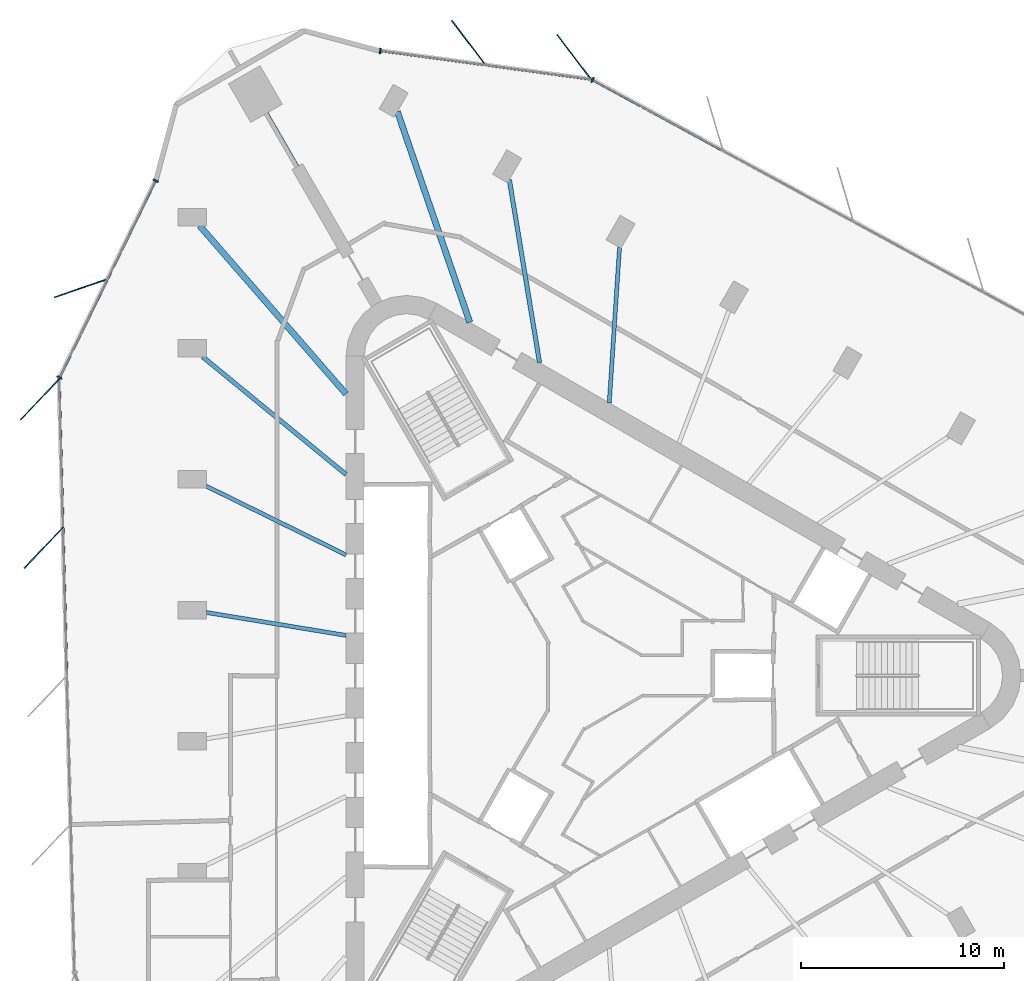
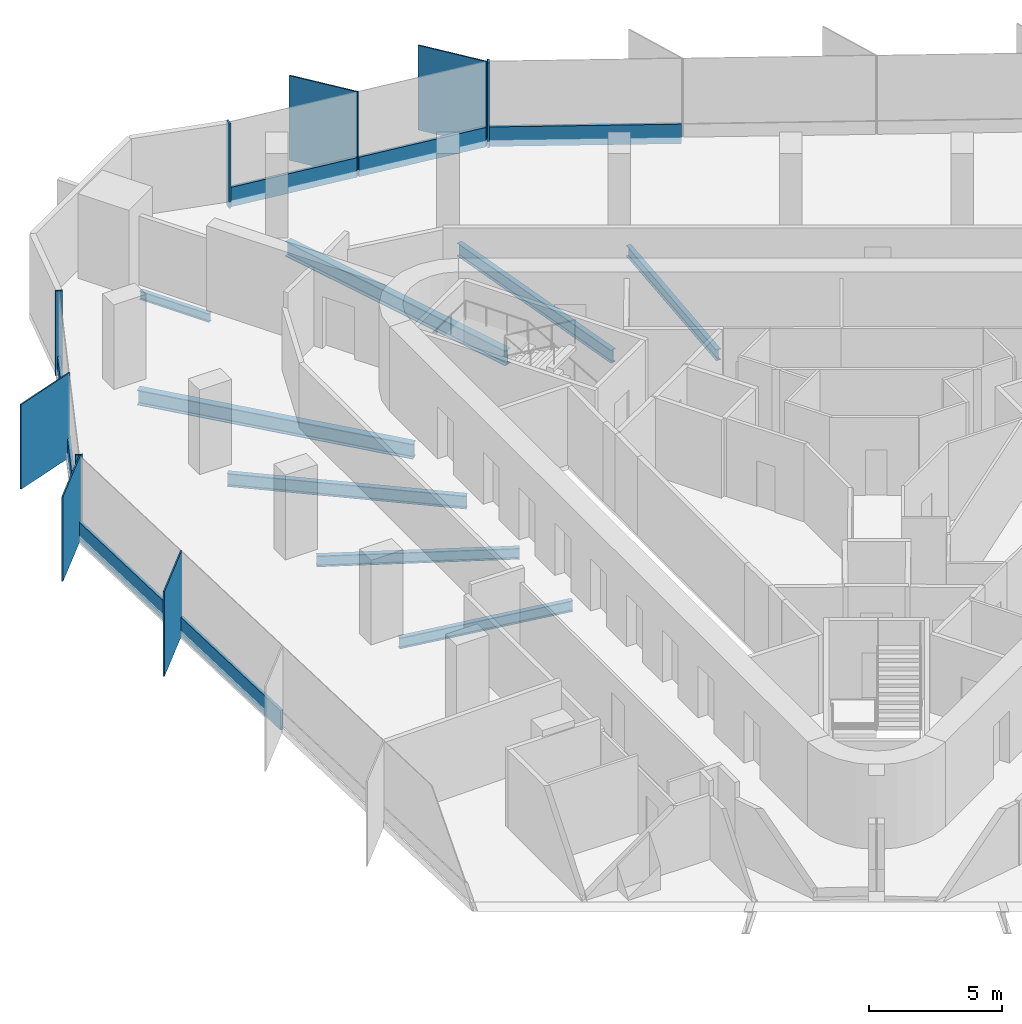
# One storey, part 4 of 12: 16 members, 8 beams, 4 elements without a shape of their own.
"""IFC4 building model written with IfcOpenShell, lengths in metres."""

import ifcopenshell
import ifcopenshell.guid

model = None  # the IFC model being written
_history = None  # IfcOwnerHistory: only IFC2X3 demands one
_inside = {}  # id of a spatial element -> (the spatial element, [elements in it])
_under = {}  # id of a project, library or spatial element -> (it, [spatial elements below it])
_declared = {}  # id of a project -> (the project, [libraries it declares])
_typed = {}  # id of a type object -> (the type object, [elements of that type])
_made_of = {}  # id of a material, layer set ... -> (it, [elements and type objects made of it])


def new_model(schema):
    """Start an empty IFC model of exactly this schema.

    Asked for "IFC4X3", IfcOpenShell would pick the latest addendum, in which some entities
    have other attributes; the version numbers below select the first issue.
    IFC2X3 requires an IfcOwnerHistory on every rooted entity: one is made here for all.
    """
    global model, _history
    if schema == "IFC4X3":
        model = ifcopenshell.file(schema_version=(4, 3, 0, 0))
    else:
        model = ifcopenshell.file(schema=schema)
    _inside.clear()
    _under.clear()
    _declared.clear()
    _typed.clear()
    _made_of.clear()
    _history = None
    if model.schema == "IFC2X3":
        org = make("IfcOrganization", Name="unknown")
        user = make(
            "IfcPersonAndOrganization",
            ThePerson=make("IfcPerson", FamilyName="unknown"),
            TheOrganization=org,
        )
        app = make(
            "IfcApplication",
            ApplicationDeveloper=org,
            Version="unknown",
            ApplicationFullName="unknown",
            ApplicationIdentifier="unknown",
        )
        _history = make(
            "IfcOwnerHistory",
            OwningUser=user,
            OwningApplication=app,
            ChangeAction="ADDED",
            CreationDate=0,
        )
    return model


def make(cls, **values):
    """One entity of the class cls with the attributes given. An attribute that is None is left unset."""
    return model.create_entity(
        cls, **{name: value for name, value in values.items() if value is not None}
    )


def rooted(cls, **values):
    """An entity with a GlobalId (a new one), such as an element, a storey or a relation."""
    return make(cls, GlobalId=ifcopenshell.guid.new(), OwnerHistory=_history, **values)


def si_unit(unit_type, name, prefix=None):
    """IfcSIUnit, for example si_unit("LENGTHUNIT", "METRE", prefix="MILLI")."""
    return make("IfcSIUnit", UnitType=unit_type, Prefix=prefix, Name=name)


def assignment(units):
    """IfcUnitAssignment: the units of a project."""
    return None if units is None else make("IfcUnitAssignment", Units=units)


def point(xyz):
    """IfcCartesianPoint."""
    return None if xyz is None else make("IfcCartesianPoint", Coordinates=xyz)


def direction(xyz):
    """IfcDirection."""
    return None if xyz is None else make("IfcDirection", DirectionRatios=xyz)


def frame(location, z_axis=None, x_axis=None):
    """IfcAxis2Placement3D, a coordinate frame: its origin and axes. An axis left out is left unset."""
    return make(
        "IfcAxis2Placement3D",
        Location=point(location),
        Axis=direction(z_axis),
        RefDirection=direction(x_axis),
    )


def frame_2d(location, x_axis=None):
    """IfcAxis2Placement2D, a coordinate frame in the plane: its origin and x axis."""
    return make(
        "IfcAxis2Placement2D", Location=point(location), RefDirection=direction(x_axis)
    )


def origin():
    """The frame at (0, 0, 0) with its axes left unset."""
    return frame((0.0, 0.0, 0.0))


def origin_2d():
    """The frame at (0, 0) in the plane with its x axis left unset."""
    return frame_2d((0.0, 0.0))


def place(relative_to, where):
    """IfcLocalPlacement: puts the frame where relative to a parent placement (None: the world)."""
    return make(
        "IfcLocalPlacement", PlacementRelTo=relative_to, RelativePlacement=where
    )


def context(
    kind, dimensions, precision=None, world=None, true_north=None, identifier=None
):
    """IfcGeometricRepresentationContext, for example the 3D "Model" context."""
    return make(
        "IfcGeometricRepresentationContext",
        ContextIdentifier=identifier,
        ContextType=kind,
        CoordinateSpaceDimension=dimensions,
        Precision=precision,
        WorldCoordinateSystem=world,
        TrueNorth=true_north,
    )


def subcontext(parent, identifier, kind, view, scale=None):
    """IfcGeometricRepresentationSubContext, for example "Body" below "Model"."""
    return make(
        "IfcGeometricRepresentationSubContext",
        ContextIdentifier=identifier,
        ContextType=kind,
        ParentContext=parent,
        TargetScale=scale,
        TargetView=view,
    )


def project(units=None, contexts=None):
    """IfcProject with its units and contexts."""
    return rooted(
        "IfcProject",
        Name="project",
        RepresentationContexts=contexts,
        UnitsInContext=assignment(units),
    )


def spatial(cls, under=None, at=None, **own):
    """A site, building, storey or space (cls), placed at a placement, below another one or the project."""
    s = rooted(cls, ObjectPlacement=at, **own)
    if under is not None:
        _under.setdefault(under.id(), (under, []))[1].append(s)
    return s


def profile(cls, at=None, kind="AREA", **sizes):
    """A parametric profile (cls). Its sizes go by their IFC names, for example OverallWidth=200.0."""
    return make(cls, ProfileType=kind, Position=at, **sizes)


def rectangle(**sizes):
    """IfcRectangleProfileDef."""
    return profile("IfcRectangleProfileDef", **sizes)


def i_section(**sizes):
    """IfcIShapeProfileDef."""
    return profile("IfcIShapeProfileDef", **sizes)


def extrude(swept, where, along, depth):
    """IfcExtrudedAreaSolid: the profile swept, set in the frame where, extruded along a direction by depth."""
    return make(
        "IfcExtrudedAreaSolid",
        SweptArea=swept,
        Position=where,
        ExtrudedDirection=direction(along),
        Depth=depth,
    )


def shape(context_of_items, identifier, shape_type, items):
    """IfcShapeRepresentation: the items that make up one representation, for example the "Body"."""
    return make(
        "IfcShapeRepresentation",
        ContextOfItems=context_of_items,
        RepresentationIdentifier=identifier,
        RepresentationType=shape_type,
        Items=items,
    )


def material(Name=None, Category=None):
    """IfcMaterial."""
    return make("IfcMaterial", Name=Name, Category=Category)


def material_profile(
    of_material, cross_section, Name=None, Category=None, Priority=None
):
    """IfcMaterialProfile: a cross section and its material."""
    return make(
        "IfcMaterialProfile",
        Name=Name,
        Material=of_material,
        Profile=cross_section,
        Priority=Priority,
        Category=Category,
    )


def profile_set(profiles, Name=None, composite=None):
    """IfcMaterialProfileSet."""
    return make(
        "IfcMaterialProfileSet",
        Name=Name,
        MaterialProfiles=profiles,
        CompositeProfile=composite,
    )


def made_of(thing, what):
    """Note that an element or type object is made of a material, layer set ...; save() writes the relation."""
    if what is not None:
        _made_of.setdefault(what.id(), (what, []))[1].append(thing)
    return thing


def type_object(cls, material=None, **own):
    """A type object (cls), such as IfcWallType, which elements share."""
    return made_of(rooted(cls, **own), material)


def element(
    cls,
    number,
    at=None,
    inside=None,
    cuts=None,
    type_object=None,
    material=None,
    context=None,
    identifier="Body",
    shape_type=None,
    held_by="IfcProductDefinitionShape",
    body=None,
    shapes=None,
    **own,
):
    """One element of the class cls, such as IfcWall. Its Tag is "e" and its number.

    at: its placement. inside: the storey or other place that contains it. cuts: it is an
    opening in that element (IfcRelVoidsElement). A single representation is given by context,
    identifier, shape_type and body (its items); several are given by shapes. held_by: the class
    of the entity that holds the representations. save() writes the other relations.
    """
    e = rooted(cls, Tag="e%d" % number, ObjectPlacement=at, **own)
    if body is not None:
        shapes = [shape(context, identifier, shape_type, body)]
    if shapes is not None:
        e.Representation = make(held_by, Representations=shapes)
    if inside is not None:
        _inside.setdefault(inside.id(), (inside, []))[1].append(e)
    if cuts is not None:
        rooted(
            "IfcRelVoidsElement", RelatingBuildingElement=cuts, RelatedOpeningElement=e
        )
    if type_object is not None:
        _typed.setdefault(type_object.id(), (type_object, []))[1].append(e)
    return made_of(e, material)


def aggregate(whole, parts):
    """IfcRelAggregates: a whole, such as a stair, and the parts it consists of."""
    return rooted("IfcRelAggregates", RelatingObject=whole, RelatedObjects=parts)


def save(model, path):
    """Write the relations noted so far, then the file.

    IfcRelAggregates (storeys below a building ...), IfcRelContainedInSpatialStructure (elements
    in a storey), IfcRelDefinesByType, IfcRelAssociatesMaterial and IfcRelDeclares: one each for
    every whole, place, type object, material and project.
    """
    for whole, parts in _under.values():
        aggregate(whole, parts)
    for where, things in _inside.values():
        rooted(
            "IfcRelContainedInSpatialStructure",
            RelatedElements=things,
            RelatingStructure=where,
        )
    for kind, things in _typed.values():
        rooted("IfcRelDefinesByType", RelatedObjects=things, RelatingType=kind)
    for what, things in _made_of.values():
        rooted("IfcRelAssociatesMaterial", RelatedObjects=things, RelatingMaterial=what)
    for by, libraries in _declared.values():
        rooted("IfcRelDeclares", RelatingContext=by, RelatedDefinitions=libraries)
    model.write(path)


model = new_model("IFC4")

# Units and contexts
model_context = context("Model", 3, precision=1e-05, world=origin(), true_north=direction((0.0, 1.0)))
body_context = subcontext(model_context, "Body", "Model", "MODEL_VIEW")
ifc_project = project(units=[si_unit("LENGTHUNIT", "METRE"), si_unit("AREAUNIT", "SQUARE_METRE"), si_unit("VOLUMEUNIT", "CUBIC_METRE"), si_unit("PLANEANGLEUNIT", "RADIAN"), si_unit("MASSUNIT", "GRAM", prefix="KILO")], contexts=[model_context])

# Site, building, storey
site_placement = place(None, origin())
site = spatial("IfcSite", under=ifc_project, at=site_placement, CompositionType="ELEMENT")
building_placement = place(site_placement, origin())
building = spatial("IfcBuilding", under=site, at=building_placement, Name="Tanit Gate Tower", CompositionType="ELEMENT")
storey_placement = place(building_placement, frame((0.0, 0.0, 349.39990234375)))
storey = spatial("IfcBuildingStorey", under=building, at=storey_placement, Name="L79", CompositionType="ELEMENT", Elevation=349.39990234375)

# Curtain wall, members
ifc_material_1 = material(Name="Aluminium bronze anodised and glass", Category="aluminium")
curtain_wall_type = type_object("IfcCurtainWallType", Name="Curtain wall typical high", PredefinedType="NOTDEFINED", material=ifc_material_1)
curtain_wall_1_placement = place(storey_placement, origin())
curtain_wall_1 = element("IfcCurtainWall", 1, at=curtain_wall_1_placement, inside=storey, type_object=curtain_wall_type, Name="Curtain wall L79 NE3", PredefinedType="NOTDEFINED")
ifc_material_2 = material(Name="Aluminium bronze anodised", Category="aluminium")
ifc_material_profile_1 = material_profile(ifc_material_2, rectangle(XDim=2.800048828125, YDim=0.055908203125, at=origin_2d()), Name="56x2800 bronze fin mullion")
ifc_profile_set_1 = profile_set([ifc_material_profile_1], Name="Aluminium bronze anodised")
member_type_1 = type_object("IfcMemberType", Name="FIN MULLION 56x2800 bronze", PredefinedType="MULLION", material=ifc_profile_set_1)
member_1_placement = place(storey_placement, frame((-0.84130859375, 30.51806640625, -0.2998046875), z_axis=(0.0, 0.0, 1.0), x_axis=(0.605901481659, -0.795539687585, 0.0)))
member_1 = element("IfcMember", 2, at=member_1_placement, type_object=member_type_1, Name="Fin mullion L79 NE3.1", PredefinedType="MULLION", context=body_context, shape_type="SweptSolid", body=[
    extrude(rectangle(XDim=2.800048828125, YDim=0.055908203125, at=origin_2d()), origin(), (0.0, 0.0, 1.0), 3.89990234375),
])
member_2_placement = place(storey_placement, frame((-6.04345703125, 31.221923828125, -0.2998046875), z_axis=(0.0, 0.0, 1.0), x_axis=(0.605901481659, -0.795539687585, 0.0)))
member_2 = element("IfcMember", 3, at=member_2_placement, type_object=member_type_1, Name="Fin mullion L79 NE3.2", PredefinedType="MULLION", context=body_context, shape_type="SweptSolid", body=[
    extrude(rectangle(XDim=2.800048828125, YDim=0.055908203125, at=origin_2d()), origin(), (0.0, 0.0, 1.0), 3.89990234375),
])

# Curtain wall, member
curtain_wall_2_placement = place(storey_placement, origin())
curtain_wall_2 = element("IfcCurtainWall", 4, at=curtain_wall_2_placement, inside=storey, type_object=curtain_wall_type, Name="Curtain wall L79 W1", PredefinedType="NOTDEFINED")
member_3_placement = place(storey_placement, frame((-25.170654296875, 19.119873046875, -0.2998046875), z_axis=(0.0, 0.0, 1.0), x_axis=(0.945536395011, 0.325516398526, 0.0)))
member_3 = element("IfcMember", 5, at=member_3_placement, type_object=member_type_1, Name="Fin mullion L79 W1.2", PredefinedType="MULLION", context=body_context, shape_type="SweptSolid", body=[
    extrude(rectangle(XDim=2.800048828125, YDim=0.055908203125, at=origin_2d()), origin(), (0.0, 0.0, 1.0), 3.89990234375),
])

# Curtain wall, members
curtain_wall_3_placement = place(storey_placement, origin())
curtain_wall_3 = element("IfcCurtainWall", 6, at=curtain_wall_3_placement, inside=storey, type_object=curtain_wall_type, Name="Curtain wall L79 W2", PredefinedType="NOTDEFINED")
member_4_placement = place(storey_placement, frame((-27.20166015625, 13.635498046875, -0.2998046875), z_axis=(0.0, 0.0, 1.0), x_axis=(0.688538110764, 0.725200158595, 0.0)))
member_4 = element("IfcMember", 7, at=member_4_placement, type_object=member_type_1, Name="Fin mullion L79 W2.1", PredefinedType="MULLION", context=body_context, shape_type="SweptSolid", body=[
    extrude(rectangle(XDim=2.800048828125, YDim=0.055908203125, at=origin_2d()), origin(), (0.0, 0.0, 1.0), 3.89990234375),
])
member_5_placement = place(storey_placement, frame((-27.01171875, 6.31689453125, -0.2998046875), z_axis=(0.0, 0.0, 1.0), x_axis=(0.688538110764, 0.725200158595, 0.0)))
member_5 = element("IfcMember", 8, at=member_5_placement, type_object=member_type_1, Name="Fin mullion L79 W2.2", PredefinedType="MULLION", context=body_context, shape_type="SweptSolid", body=[
    extrude(rectangle(XDim=2.800048828125, YDim=0.055908203125, at=origin_2d()), origin(), (0.0, 0.0, 1.0), 3.89990234375),
])

# Curtain wall, member
curtain_wall_4_placement = place(storey_placement, origin())
curtain_wall_4 = element("IfcCurtainWall", 9, at=curtain_wall_4_placement, inside=storey, type_object=curtain_wall_type, Name="Curtain wall L79 NE2", PredefinedType="NOTDEFINED")
ifc_material_3 = material(Name="Aluminium bronze anodised", Category="aluminium")
ifc_material_profile_2 = material_profile(ifc_material_3, rectangle(XDim=0.280029296875, YDim=0.080078125, at=origin_2d()), Name="80x280 bronze mullion")
ifc_profile_set_2 = profile_set([ifc_material_profile_2], Name="Aluminium bronze anodised")
member_type_2 = type_object("IfcMemberType", Name="Mullion 80x280 typical high", PredefinedType="MULLION", material=ifc_profile_set_2)
member_6_placement = place(storey_placement, frame((0.069580078125, 29.3955078125, -0.2998046875), z_axis=(0.0, 0.0, 1.0), x_axis=(-0.477381131015, -0.87869633876, 0.0)))
member_6 = element("IfcMember", 10, at=member_6_placement, type_object=member_type_2, Name="Mullion L79 NE2.5", PredefinedType="MULLION", context=body_context, shape_type="SweptSolid", body=[
    extrude(rectangle(XDim=0.280029296875, YDim=0.080078125, at=origin_2d()), origin(), (0.0, 0.0, 1.0), 3.89990234375),
])

# Member
member_7_placement = place(storey_placement, frame((-10.409423828125, 30.827880859375, -0.2998046875), z_axis=(0.0, 0.0, 1.0), x_axis=(-0.134094461382, -0.990968554207, 0.0)))
member_7 = element("IfcMember", 11, at=member_7_placement, type_object=member_type_2, Name="Mullion L79 NE3.3", PredefinedType="MULLION", context=body_context, shape_type="SweptSolid", body=[
    extrude(rectangle(XDim=0.280029296875, YDim=0.080078125, at=origin_2d()), origin(), (0.0, 0.0, 1.0), 3.89990234375),
])

member_8_placement = place(storey_placement, frame((-21.496337890625, 24.426025390625, -0.2998046875), z_axis=(0.0, 0.0, 1.0), x_axis=(0.898770049556, -0.438420343985, 0.0)))
member_8 = element("IfcMember", 12, at=member_8_placement, type_object=member_type_2, Name="Mullion L79 W1.1", PredefinedType="MULLION", context=body_context, shape_type="SweptSolid", body=[
    extrude(rectangle(XDim=0.280029296875, YDim=0.080078125, at=origin_2d()), origin(), (0.0, 0.0, 1.0), 3.89990234375),
])

member_9_placement = place(storey_placement, frame((-26.23486328125, 14.71240234375, -0.2998046875), z_axis=(0.0, 0.0, 1.0), x_axis=(0.898770049556, -0.438420343985, 0.0)))
member_9 = element("IfcMember", 13, at=member_9_placement, type_object=member_type_2, Name="Mullion L79 W1.3", PredefinedType="MULLION", context=body_context, shape_type="SweptSolid", body=[
    extrude(rectangle(XDim=0.280029296875, YDim=0.080078125, at=origin_2d()), origin(), (0.0, 0.0, 1.0), 3.89990234375),
])

# Beams
ifc_material_4 = material(Name="Steel S355", Category="steel")
ifc_material_profile_3 = material_profile(ifc_material_4, i_section(OverallWidth=0.300048828125, OverallDepth=0.68994140625, WebThickness=0.014404296875, FlangeThickness=0.027099609375, FilletRadius=0.027099609375, at=origin_2d()), Name="HEA 700")
ifc_profile_set_3 = profile_set([ifc_material_profile_3], Name="Steel S355")
beam_type_1 = type_object("IfcBeamType", Name="RADIAL GIRDER HEA 700 S355", PredefinedType="BEAM", material=ifc_profile_set_3)
for number, where, z_axis, x_axis, name in (
    (14, (-9.563720703125, 27.83251953125, -0.64501953125), (0.324979251092, -0.945721146195, 0.0), (0.945721146195, 0.324979251092, 0.0), "RADIAL GIRDER"),
    (15, (-19.322021484375, 22.198486328125, -0.64501953125), (0.656551846621, -0.754280897742, 0.0), (0.754280897742, 0.656551846621, 0.0), "RADIAL GIRDER"),
):
    element("IfcBeam", number, at=place(storey_placement, frame(where, z_axis=z_axis, x_axis=x_axis)), inside=storey, type_object=beam_type_1, Name=name, PredefinedType="BEAM", context=body_context, shape_type="SweptSolid", body=[
        extrude(i_section(OverallWidth=0.300048828125, OverallDepth=0.68994140625, WebThickness=0.014404296875, FlangeThickness=0.027099609375, FilletRadius=0.027099609375, at=origin_2d()), origin(), (0.0, 0.0, 1.0), 10.996826171875),
    ])
ifc_material_5 = material(Name="Steel S355", Category="steel")
ifc_material_profile_4 = material_profile(ifc_material_5, i_section(OverallWidth=0.179931640625, OverallDepth=0.39990234375, WebThickness=0.008544921875, FlangeThickness=0.013427734375, FilletRadius=0.02099609375, at=origin_2d()), Name="IPE 400")
ifc_profile_set_4 = profile_set([ifc_material_profile_4], Name="Steel S355")
beam_type_2 = type_object("IfcBeamType", Name="RADIAL GIRDER IPE 400 S355", PredefinedType="BEAM", material=ifc_profile_set_4)
beam_1_placement = place(storey_placement, frame((-16.019775390625, 27.746826171875, -0.5), z_axis=(0.500014901547, -0.866016800201, 0.0), x_axis=(0.866016800201, 0.500014901547, 0.0)))
element("IfcBeam", 16, at=beam_1_placement, inside=storey, type_object=beam_type_2, Name="RADIAL GIRDER", PredefinedType="BEAM", context=body_context, shape_type="SweptSolid", body=[
    extrude(i_section(OverallWidth=0.179931640625, OverallDepth=0.39990234375, WebThickness=0.008544921875, FlangeThickness=0.013427734375, FilletRadius=0.02099609375, at=origin_2d()), origin(), (0.0, 0.0, 1.0), 3.03515625),
])
ifc_material_6 = material(Name="Steel S355", Category="steel")
ifc_material_profile_5 = material_profile(ifc_material_6, i_section(OverallWidth=0.199951171875, OverallDepth=0.5, WebThickness=0.01025390625, FlangeThickness=0.01611328125, FilletRadius=0.02099609375, at=origin_2d()), Name="IPE 500")
ifc_profile_set_5 = profile_set([ifc_material_profile_5], Name="Steel S355")
beam_type_3 = type_object("IfcBeamType", Name="RADIAL GIRDER IPE 500 S355", PredefinedType="BEAM", material=ifc_profile_set_5)
beam_2_placement = place(storey_placement, frame((1.3974609375, 21.122802734375, -0.5498046875), z_axis=(-0.066029480547, -0.997817672573, 0.0), x_axis=(0.997817672573, -0.066029480547, 0.0)))
element("IfcBeam", 17, at=beam_2_placement, inside=storey, type_object=beam_type_3, Name="RADIAL GIRDER", PredefinedType="BEAM", context=body_context, shape_type="SweptSolid", body=[
    extrude(i_section(OverallWidth=0.199951171875, OverallDepth=0.5, WebThickness=0.01025390625, FlangeThickness=0.01611328125, FilletRadius=0.02099609375, at=origin_2d()), origin(), (0.0, 0.0, 1.0), 7.6796875),
])
beam_3_placement = place(storey_placement, frame((-18.99169921875, 9.35107421875, -0.5498046875), z_axis=(0.897144509959, -0.441737171009, 0.0), x_axis=(0.441737171009, 0.897144509959, 0.0)))
element("IfcBeam", 18, at=beam_3_placement, inside=storey, type_object=beam_type_3, Name="RADIAL GIRDER", PredefinedType="BEAM", context=body_context, shape_type="SweptSolid", body=[
    extrude(i_section(OverallWidth=0.199951171875, OverallDepth=0.5, WebThickness=0.01025390625, FlangeThickness=0.01611328125, FilletRadius=0.02099609375, at=origin_2d()), origin(), (0.0, 0.0, 1.0), 7.679443359375),
])
beam_4_placement = place(storey_placement, frame((-18.99169921875, 3.116943359375, -0.5498046875), z_axis=(0.986795432202, -0.161971525229, 0.0), x_axis=(0.161971525229, 0.986795432202, 0.0)))
element("IfcBeam", 19, at=beam_4_placement, inside=storey, type_object=beam_type_3, Name="RADIAL GIRDER", PredefinedType="BEAM", context=body_context, shape_type="SweptSolid", body=[
    extrude(i_section(OverallWidth=0.199951171875, OverallDepth=0.5, WebThickness=0.01025390625, FlangeThickness=0.01611328125, FilletRadius=0.02099609375, at=origin_2d()), origin(), (0.0, 0.0, 1.0), 6.98193359375),
])
ifc_material_7 = material(Name="Steel S355", Category="steel")
ifc_material_profile_6 = material_profile(ifc_material_7, i_section(OverallWidth=0.219970703125, OverallDepth=0.60009765625, WebThickness=0.011962890625, FlangeThickness=0.01904296875, FilletRadius=0.02392578125, at=origin_2d()), Name="IPE 600")
ifc_profile_set_6 = profile_set([ifc_material_profile_6], Name="Steel S355")
beam_type_4 = type_object("IfcBeamType", Name="RADIAL GIRDER IPE 600 S355", PredefinedType="BEAM", material=ifc_profile_set_6)
for number, where, z_axis, x_axis, name in (
    (20, (-4.039794921875, 24.472412109375, -0.599853515625), (0.162871136194, -0.986647349865, 0.0), (0.986647349865, 0.162871136194, 0.0), "RADIAL GIRDER"),
    (21, (-19.173828125, 15.734619140625, -0.599853515625), (0.773033772719, -0.634364868381, 0.0), (0.634364868381, 0.773033772719, 0.0), "RADIAL GIRDER"),
):
    element("IfcBeam", number, at=place(storey_placement, frame(where, z_axis=z_axis, x_axis=x_axis)), inside=storey, type_object=beam_type_4, Name=name, PredefinedType="BEAM", context=body_context, shape_type="SweptSolid", body=[
        extrude(i_section(OverallWidth=0.219970703125, OverallDepth=0.60009765625, WebThickness=0.011962890625, FlangeThickness=0.01904296875, FilletRadius=0.02392578125, at=origin_2d()), origin(), (0.0, 0.0, 1.0), 9.148193359375),
    ])

# Member
ifc_material_8 = material(Name="Aluminium bronze anodised", Category="aluminium")
ifc_material_profile_7 = material_profile(ifc_material_8, rectangle(XDim=0.1201171875, YDim=0.89990234375, at=origin_2d()), Name="120x900 bronze transom")
ifc_profile_set_7 = profile_set([ifc_material_profile_7], Name="Aluminium bronze anodised")
member_type_3 = type_object("IfcMemberType", Name="Transom 120x900 typical high", PredefinedType="USERDEFINED", material=ifc_profile_set_7)
member_10_placement = place(storey_placement, frame((6.46728515625, 25.919677734375, 0.150146484375), z_axis=(-0.878689388466, 0.477393923921, 0.0), x_axis=(-0.477393923921, -0.878689388466, 0.0)))
member_10 = element("IfcMember", 22, at=member_10_placement, type_object=member_type_3, Name="Transom L79 NE2.4", ObjectType="TRANSOM", PredefinedType="USERDEFINED", context=body_context, shape_type="SweptSolid", body=[
    extrude(rectangle(XDim=0.1201171875, YDim=0.89990234375, at=origin_2d()), origin(), (0.0, 0.0, 1.0), 7.240966796875),
])

aggregate(curtain_wall_4, [member_6, member_10])

member_11_placement = place(storey_placement, frame((-0.044677734375, 29.42529296875, 0.150146484375), z_axis=(-0.990965308364, 0.134118446233, 0.0), x_axis=(-0.134118446233, -0.990965308364, 0.0)))
member_11 = element("IfcMember", 23, at=member_11_placement, type_object=member_type_3, Name="Transom L79 NE3.1", ObjectType="TRANSOM", PredefinedType="USERDEFINED", context=body_context, shape_type="SweptSolid", body=[
    extrude(rectangle(XDim=0.1201171875, YDim=0.89990234375, at=origin_2d()), origin(), (0.0, 0.0, 1.0), 5.169677734375),
])

member_12_placement = place(storey_placement, frame((-5.246826171875, 30.12939453125, 0.150146484375), z_axis=(-0.990971583812, 0.134072070456, 0.0), x_axis=(-0.134072070456, -0.990971583812, 0.0)))
member_12 = element("IfcMember", 24, at=member_12_placement, type_object=member_type_3, Name="Transom L79 NE3.2", ObjectType="TRANSOM", PredefinedType="USERDEFINED", context=body_context, shape_type="SweptSolid", body=[
    extrude(rectangle(XDim=0.1201171875, YDim=0.89990234375, at=origin_2d()), origin(), (0.0, 0.0, 1.0), 5.169677734375),
])

aggregate(curtain_wall_1, [member_1, member_2, member_7, member_11, member_12])

member_13_placement = place(storey_placement, frame((-21.513916015625, 24.39013671875, 0.150146484375), z_axis=(-0.43844260512, -0.898759190226, 0.0), x_axis=(0.898759190226, -0.43844260512, 0.0)))
member_13 = element("IfcMember", 25, at=member_13_placement, type_object=member_type_3, Name="Transom L79 W1.1", ObjectType="TRANSOM", PredefinedType="USERDEFINED", context=body_context, shape_type="SweptSolid", body=[
    extrude(rectangle(XDim=0.1201171875, YDim=0.89990234375, at=origin_2d()), origin(), (0.0, 0.0, 1.0), 5.323974609375),
])

member_14_placement = place(storey_placement, frame((-23.883056640625, 19.533203125, 0.150146484375), z_axis=(-0.43844260512, -0.898759190226, 0.0), x_axis=(0.898759190226, -0.43844260512, 0.0)))
member_14 = element("IfcMember", 26, at=member_14_placement, type_object=member_type_3, Name="Transom L79 W1.2", ObjectType="TRANSOM", PredefinedType="USERDEFINED", context=body_context, shape_type="SweptSolid", body=[
    extrude(rectangle(XDim=0.1201171875, YDim=0.89990234375, at=origin_2d()), origin(), (0.0, 0.0, 1.0), 5.323974609375),
])

aggregate(curtain_wall_2, [member_8, member_3, member_9, member_13, member_14])

member_15_placement = place(storey_placement, frame((-26.250244140625, 14.596435546875, 0.150146484375), z_axis=(0.025928074156, -0.999663810974, 0.0), x_axis=(0.999663810974, 0.025928074156, 0.0)))
member_15 = element("IfcMember", 27, at=member_15_placement, type_object=member_type_3, Name="Transom L79 W2.1", ObjectType="TRANSOM", PredefinedType="USERDEFINED", context=body_context, shape_type="SweptSolid", body=[
    extrude(rectangle(XDim=0.1201171875, YDim=0.89990234375, at=origin_2d()), origin(), (0.0, 0.0, 1.0), 7.240966796875),
])

member_16_placement = place(storey_placement, frame((-26.060546875, 7.27783203125, 0.150146484375), z_axis=(0.025928948098, -0.999663788306, 0.0), x_axis=(0.999663788306, 0.025928948098, 0.0)))
member_16 = element("IfcMember", 28, at=member_16_placement, type_object=member_type_3, Name="Transom L79 W2.2", ObjectType="TRANSOM", PredefinedType="USERDEFINED", context=body_context, shape_type="SweptSolid", body=[
    extrude(rectangle(XDim=0.1201171875, YDim=0.89990234375, at=origin_2d()), origin(), (0.0, 0.0, 1.0), 7.24072265625),
])

aggregate(curtain_wall_3, [member_4, member_5, member_15, member_16])

save(model, "model.ifc")
